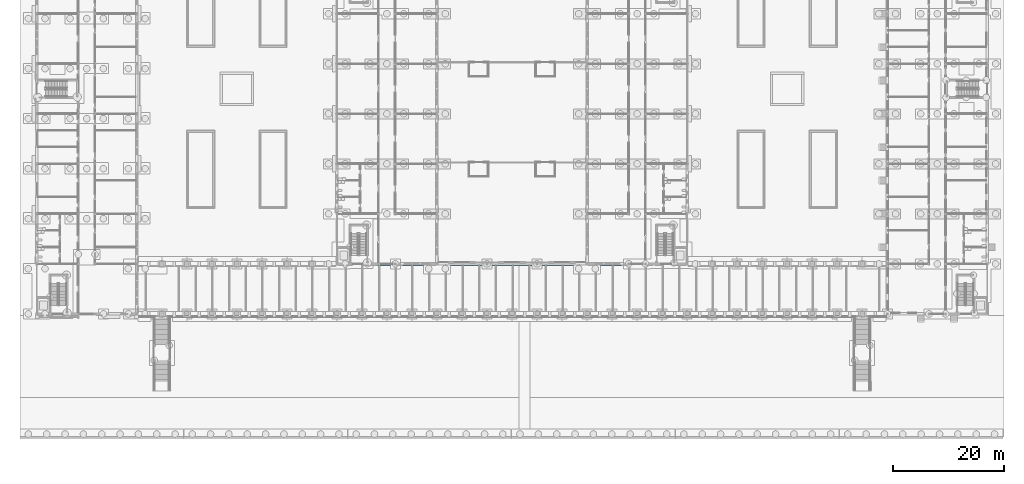
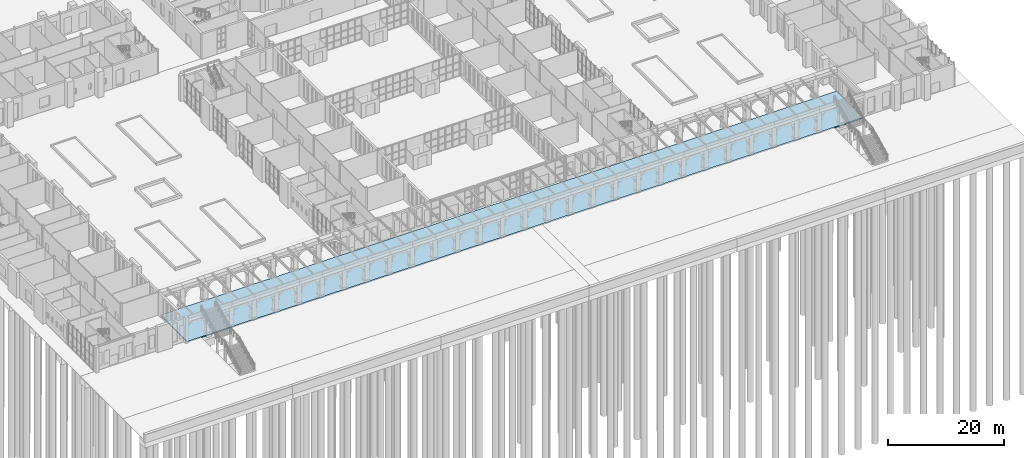
# One storey, part 73 of 168: 1 slab.
"""IFC4 building model written with IfcOpenShell, lengths in metres."""

import ifcopenshell
import ifcopenshell.guid

model = None  # the IFC model being written
_history = None  # IfcOwnerHistory: only IFC2X3 demands one
_inside = {}  # id of a spatial element -> (the spatial element, [elements in it])
_under = {}  # id of a project, library or spatial element -> (it, [spatial elements below it])
_declared = {}  # id of a project -> (the project, [libraries it declares])
_typed = {}  # id of a type object -> (the type object, [elements of that type])
_made_of = {}  # id of a material, layer set ... -> (it, [elements and type objects made of it])


def new_model(schema):
    """Start an empty IFC model of exactly this schema.

    Asked for "IFC4X3", IfcOpenShell would pick the latest addendum, in which some entities
    have other attributes; the version numbers below select the first issue.
    IFC2X3 requires an IfcOwnerHistory on every rooted entity: one is made here for all.
    """
    global model, _history
    if schema == "IFC4X3":
        model = ifcopenshell.file(schema_version=(4, 3, 0, 0))
    else:
        model = ifcopenshell.file(schema=schema)
    _inside.clear()
    _under.clear()
    _declared.clear()
    _typed.clear()
    _made_of.clear()
    _history = None
    if model.schema == "IFC2X3":
        org = make("IfcOrganization", Name="unknown")
        user = make(
            "IfcPersonAndOrganization",
            ThePerson=make("IfcPerson", FamilyName="unknown"),
            TheOrganization=org,
        )
        app = make(
            "IfcApplication",
            ApplicationDeveloper=org,
            Version="unknown",
            ApplicationFullName="unknown",
            ApplicationIdentifier="unknown",
        )
        _history = make(
            "IfcOwnerHistory",
            OwningUser=user,
            OwningApplication=app,
            ChangeAction="ADDED",
            CreationDate=0,
        )
    return model


def make(cls, **values):
    """One entity of the class cls with the attributes given. An attribute that is None is left unset."""
    return model.create_entity(
        cls, **{name: value for name, value in values.items() if value is not None}
    )


def rooted(cls, **values):
    """An entity with a GlobalId (a new one), such as an element, a storey or a relation."""
    return make(cls, GlobalId=ifcopenshell.guid.new(), OwnerHistory=_history, **values)


def si_unit(unit_type, name, prefix=None):
    """IfcSIUnit, for example si_unit("LENGTHUNIT", "METRE", prefix="MILLI")."""
    return make("IfcSIUnit", UnitType=unit_type, Prefix=prefix, Name=name)


def assignment(units):
    """IfcUnitAssignment: the units of a project."""
    return None if units is None else make("IfcUnitAssignment", Units=units)


def point(xyz):
    """IfcCartesianPoint."""
    return None if xyz is None else make("IfcCartesianPoint", Coordinates=xyz)


def direction(xyz):
    """IfcDirection."""
    return None if xyz is None else make("IfcDirection", DirectionRatios=xyz)


def frame(location, z_axis=None, x_axis=None):
    """IfcAxis2Placement3D, a coordinate frame: its origin and axes. An axis left out is left unset."""
    return make(
        "IfcAxis2Placement3D",
        Location=point(location),
        Axis=direction(z_axis),
        RefDirection=direction(x_axis),
    )


def origin():
    """The frame at (0, 0, 0) with its axes left unset."""
    return frame((0.0, 0.0, 0.0))


def place(relative_to, where):
    """IfcLocalPlacement: puts the frame where relative to a parent placement (None: the world)."""
    return make(
        "IfcLocalPlacement", PlacementRelTo=relative_to, RelativePlacement=where
    )


def context(
    kind, dimensions, precision=None, world=None, true_north=None, identifier=None
):
    """IfcGeometricRepresentationContext, for example the 3D "Model" context."""
    return make(
        "IfcGeometricRepresentationContext",
        ContextIdentifier=identifier,
        ContextType=kind,
        CoordinateSpaceDimension=dimensions,
        Precision=precision,
        WorldCoordinateSystem=world,
        TrueNorth=true_north,
    )


def subcontext(parent, identifier, kind, view, scale=None):
    """IfcGeometricRepresentationSubContext, for example "Body" below "Model"."""
    return make(
        "IfcGeometricRepresentationSubContext",
        ContextIdentifier=identifier,
        ContextType=kind,
        ParentContext=parent,
        TargetScale=scale,
        TargetView=view,
    )


def project(units=None, contexts=None):
    """IfcProject with its units and contexts."""
    return rooted(
        "IfcProject",
        Name="project",
        RepresentationContexts=contexts,
        UnitsInContext=assignment(units),
    )


def spatial(cls, under=None, at=None, **own):
    """A site, building, storey or space (cls), placed at a placement, below another one or the project."""
    s = rooted(cls, ObjectPlacement=at, **own)
    if under is not None:
        _under.setdefault(under.id(), (under, []))[1].append(s)
    return s


def polyline(points):
    """IfcPolyline through the points."""
    return make("IfcPolyline", Points=[point(p) for p in points])


def outline(outer, holes=None, kind="AREA"):
    """IfcArbitraryClosedProfileDef: a profile drawn as a closed curve; with holes, ...WithVoids."""
    if holes is None:
        return make("IfcArbitraryClosedProfileDef", ProfileType=kind, OuterCurve=outer)
    return make(
        "IfcArbitraryProfileDefWithVoids",
        ProfileType=kind,
        OuterCurve=outer,
        InnerCurves=holes,
    )


def extrude(swept, where, along, depth):
    """IfcExtrudedAreaSolid: the profile swept, set in the frame where, extruded along a direction by depth."""
    return make(
        "IfcExtrudedAreaSolid",
        SweptArea=swept,
        Position=where,
        ExtrudedDirection=direction(along),
        Depth=depth,
    )


def shape(context_of_items, identifier, shape_type, items):
    """IfcShapeRepresentation: the items that make up one representation, for example the "Body"."""
    return make(
        "IfcShapeRepresentation",
        ContextOfItems=context_of_items,
        RepresentationIdentifier=identifier,
        RepresentationType=shape_type,
        Items=items,
    )


def material(Name=None, Category=None):
    """IfcMaterial."""
    return make("IfcMaterial", Name=Name, Category=Category)


def layer(
    of_material, thickness, ventilated=None, Name=None, Category=None, Priority=None
):
    """IfcMaterialLayer: one layer of a wall or slab, of a material (None: an air gap)."""
    return make(
        "IfcMaterialLayer",
        Material=of_material,
        LayerThickness=thickness,
        IsVentilated=ventilated,
        Name=Name,
        Category=Category,
        Priority=Priority,
    )


def layer_set(layers, Name=None):
    """IfcMaterialLayerSet."""
    return make("IfcMaterialLayerSet", MaterialLayers=layers, LayerSetName=Name)


def made_of(thing, what):
    """Note that an element or type object is made of a material, layer set ...; save() writes the relation."""
    if what is not None:
        _made_of.setdefault(what.id(), (what, []))[1].append(thing)
    return thing


def type_object(cls, material=None, **own):
    """A type object (cls), such as IfcWallType, which elements share."""
    return made_of(rooted(cls, **own), material)


def element(
    cls,
    number,
    at=None,
    inside=None,
    cuts=None,
    type_object=None,
    material=None,
    context=None,
    identifier="Body",
    shape_type=None,
    held_by="IfcProductDefinitionShape",
    body=None,
    shapes=None,
    **own,
):
    """One element of the class cls, such as IfcWall. Its Tag is "e" and its number.

    at: its placement. inside: the storey or other place that contains it. cuts: it is an
    opening in that element (IfcRelVoidsElement). A single representation is given by context,
    identifier, shape_type and body (its items); several are given by shapes. held_by: the class
    of the entity that holds the representations. save() writes the other relations.
    """
    e = rooted(cls, Tag="e%d" % number, ObjectPlacement=at, **own)
    if body is not None:
        shapes = [shape(context, identifier, shape_type, body)]
    if shapes is not None:
        e.Representation = make(held_by, Representations=shapes)
    if inside is not None:
        _inside.setdefault(inside.id(), (inside, []))[1].append(e)
    if cuts is not None:
        rooted(
            "IfcRelVoidsElement", RelatingBuildingElement=cuts, RelatedOpeningElement=e
        )
    if type_object is not None:
        _typed.setdefault(type_object.id(), (type_object, []))[1].append(e)
    return made_of(e, material)


def aggregate(whole, parts):
    """IfcRelAggregates: a whole, such as a stair, and the parts it consists of."""
    return rooted("IfcRelAggregates", RelatingObject=whole, RelatedObjects=parts)


def save(model, path):
    """Write the relations noted so far, then the file.

    IfcRelAggregates (storeys below a building ...), IfcRelContainedInSpatialStructure (elements
    in a storey), IfcRelDefinesByType, IfcRelAssociatesMaterial and IfcRelDeclares: one each for
    every whole, place, type object, material and project.
    """
    for whole, parts in _under.values():
        aggregate(whole, parts)
    for where, things in _inside.values():
        rooted(
            "IfcRelContainedInSpatialStructure",
            RelatedElements=things,
            RelatingStructure=where,
        )
    for kind, things in _typed.values():
        rooted("IfcRelDefinesByType", RelatedObjects=things, RelatingType=kind)
    for what, things in _made_of.values():
        rooted("IfcRelAssociatesMaterial", RelatedObjects=things, RelatingMaterial=what)
    for by, libraries in _declared.values():
        rooted("IfcRelDeclares", RelatingContext=by, RelatedDefinitions=libraries)
    model.write(path)


model = new_model("IFC4")

# Units and contexts
model_context = context("Model", 3, precision=1e-05, world=origin(), true_north=direction((0.0, 1.0)))
body_context = subcontext(model_context, "Body", "Model", "MODEL_VIEW")
ifc_project = project(units=[si_unit("LENGTHUNIT", "METRE"), si_unit("AREAUNIT", "SQUARE_METRE"), si_unit("VOLUMEUNIT", "CUBIC_METRE"), si_unit("PLANEANGLEUNIT", "RADIAN"), si_unit("MASSUNIT", "GRAM", prefix="KILO")], contexts=[model_context])

# Site, building, storey
site_placement = place(None, origin())
site = spatial("IfcSite", under=ifc_project, at=site_placement, CompositionType="ELEMENT")
building_placement = place(site_placement, origin())
building = spatial("IfcBuilding", under=site, at=building_placement, Name="Golden Quay Civic Hall", CompositionType="ELEMENT")
storey_placement = place(building_placement, origin())
storey = spatial("IfcBuildingStorey", under=building, at=storey_placement, Name="L00", CompositionType="ELEMENT", Elevation=0.0)

# Slab
ifc_material = material(Name="Concrete C30/37", Category="concrete")
ifc_layer = layer(ifc_material, 0.25)
ifc_layer_set = layer_set([ifc_layer], Name="Arcade ground slab 250")
slab_type = type_object("IfcSlabType", Name="Arcade ground slab 250", PredefinedType="BASESLAB", material=ifc_layer_set)
slab_placement = place(storey_placement, frame((0.0, 0.0, -0.25)))
element("IfcSlab", 1, at=slab_placement, inside=storey, type_object=slab_type, Name="Arcade ground slab", PredefinedType="BASESLAB", context=body_context, shape_type="SweptSolid", body=[
    extrude(outline(polyline([(18.199951171875, -9.39990234375), (152.800048828125, -9.39990234375), (152.800048828125, -0.199951171875), (18.199951171875, -0.199951171875), (18.199951171875, -9.39990234375)])), origin(), (0.0, 0.0, 1.0), 0.25),
])

save(model, "model.ifc")
